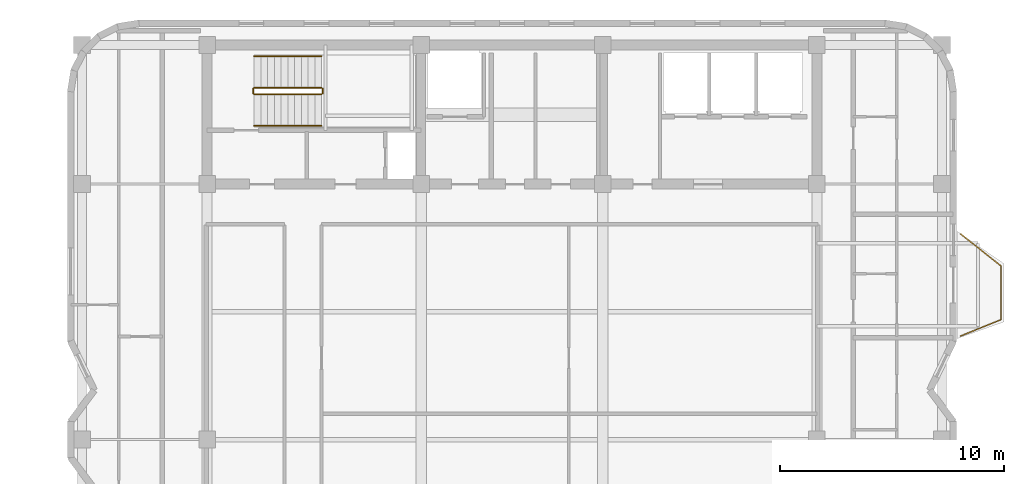
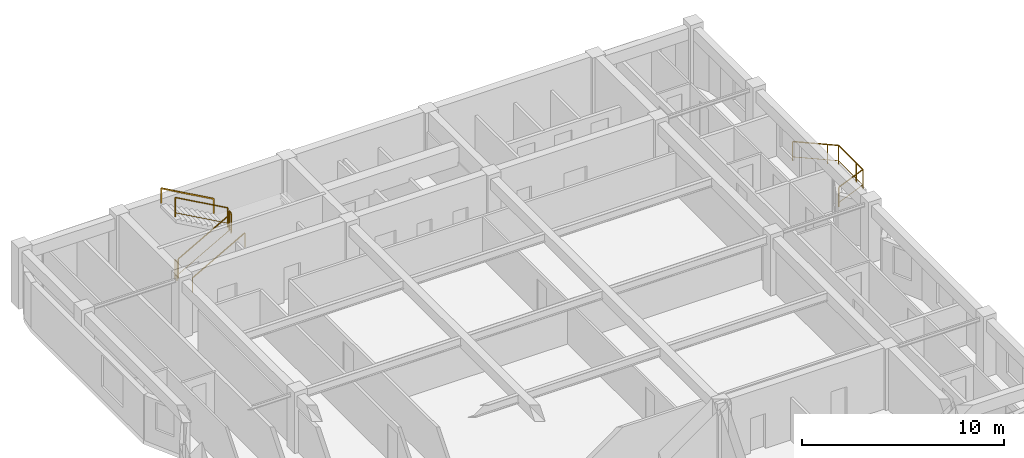
# One storey, part 8 of 8: 7 railings.
"""IFC4 building model written with IfcOpenShell, lengths in metres."""

from ifc_helpers import new_model, si_unit, direction, frame, origin, origin_2d, place, context, subcontext, project, spatial, rectangle, extrude, material, type_object, element, save


model = new_model("IFC4")

# Units and contexts
model_context = context("Model", 3, precision=1e-05, world=origin(), true_north=direction((0.0, 1.0)))
body_context = subcontext(model_context, "Body", "Model", "MODEL_VIEW")
ifc_project = project(units=[si_unit("LENGTHUNIT", "METRE"), si_unit("AREAUNIT", "SQUARE_METRE"), si_unit("VOLUMEUNIT", "CUBIC_METRE"), si_unit("PLANEANGLEUNIT", "RADIAN"), si_unit("MASSUNIT", "GRAM", prefix="KILO")], contexts=[model_context])

# Site, building, storey
site_placement = place(None, origin())
site = spatial("IfcSite", under=ifc_project, at=site_placement, CompositionType="ELEMENT")
building_placement = place(site_placement, origin())
building = spatial("IfcBuilding", under=site, at=building_placement, Name="Svetorya Sky Lyceum", CompositionType="ELEMENT")
storey_placement = place(building_placement, frame((0.0, 0.0, 278.699951171875)))
storey = spatial("IfcBuildingStorey", under=building, at=storey_placement, Name="L70", CompositionType="ELEMENT", Elevation=278.699951171875)

# Railings
ifc_material_1 = material(Name="Laminated safety glass and stainless AISI 316", Category="glass")
railing_type_1 = type_object("IfcRailingType", Name="RL-BAL-1200", PredefinedType="BALUSTRADE", material=ifc_material_1)
railing_1_placement = place(storey_placement, frame((59.2099609375, 37.3798828125, 0.0)))
element("IfcRailing", 1, at=railing_1_placement, inside=storey, type_object=railing_type_1, Name="L70 Balcony Balustrade BAL-E1", PredefinedType="BALUSTRADE", context=body_context, shape_type="SweptSolid", body=[
    extrude(rectangle(XDim=0.048095703125, YDim=0.048095703125, at=origin_2d()), frame((0.0, 0.0, 1.17578125), z_axis=(0.783008919264, -0.622010476079, 0.0), x_axis=(0.622010476079, 0.783008919264, 0.0)), (0.0, 0.0, 1.0), 2.298828125),
    extrude(rectangle(XDim=0.02392578125, YDim=0.02392578125, at=origin_2d()), frame((0.0, 0.0, 0.25), z_axis=(0.783008919264, -0.622010476079, 0.0), x_axis=(0.622010476079, 0.783008919264, 0.0)), (0.0, 0.0, 1.0), 2.298828125),
    extrude(rectangle(XDim=0.048095703125, YDim=0.048095703125, at=origin_2d()), frame((1.800048828125, -1.429931640625, 1.17578125), z_axis=(0.0, -1.0, 0.0), x_axis=(1.0, 0.0, 0.0)), (0.0, 0.0, 1.0), 2.39990234375),
    extrude(rectangle(XDim=0.02392578125, YDim=0.02392578125, at=origin_2d()), frame((1.800048828125, -1.429931640625, 0.25), z_axis=(0.0, -1.0, 0.0), x_axis=(1.0, 0.0, 0.0)), (0.0, 0.0, 1.0), 2.39990234375),
    extrude(rectangle(XDim=0.048095703125, YDim=0.048095703125, at=origin_2d()), frame((1.800048828125, -3.829833984375, 1.17578125), z_axis=(-0.926697865975, -0.375807218129, 0.0), x_axis=(0.375807218129, -0.926697865975, 0.0)), (0.0, 0.0, 1.0), 1.9423828125),
    extrude(rectangle(XDim=0.02392578125, YDim=0.02392578125, at=origin_2d()), frame((1.800048828125, -3.829833984375, 0.25), z_axis=(-0.926697865975, -0.375807218129, 0.0), x_axis=(0.375807218129, -0.926697865975, 0.0)), (0.0, 0.0, 1.0), 1.9423828125),
    extrude(rectangle(XDim=0.0419921875, YDim=0.0419921875, at=origin_2d()), origin(), (0.0, 0.0, 1.0), 1.15185546875),
    extrude(rectangle(XDim=0.0419921875, YDim=0.0419921875, at=origin_2d()), frame((1.370361328125, -1.088623046875, 0.0)), (0.0, 0.0, 1.0), 1.15185546875),
    extrude(rectangle(XDim=0.0419921875, YDim=0.0419921875, at=origin_2d()), frame((1.800048828125, -1.429931640625, 0.0)), (0.0, 0.0, 1.0), 1.15185546875),
    extrude(rectangle(XDim=0.0419921875, YDim=0.0419921875, at=origin_2d()), frame((1.800048828125, -3.179931640625, 0.0)), (0.0, 0.0, 1.0), 1.15185546875),
    extrude(rectangle(XDim=0.0419921875, YDim=0.0419921875, at=origin_2d()), frame((1.800048828125, -3.829833984375, 0.0)), (0.0, 0.0, 1.0), 1.15185546875),
    extrude(rectangle(XDim=0.0419921875, YDim=0.0419921875, at=origin_2d()), frame((0.0, -4.559814453125, 0.0)), (0.0, 0.0, 1.0), 1.15185546875),
])
ifc_material_2 = material(Name="Painted galvanized stair well guard")
railing_type_2 = type_object("IfcRailingType", Name="RL-STR-GUARD-1200", PredefinedType="GUARDRAIL", material=ifc_material_2)
railing_2_placement = place(storey_placement, frame((27.699951171875, 43.60009765625, 0.168212890625)))
element("IfcRailing", 2, at=railing_2_placement, inside=storey, type_object=railing_type_2, Name="L70 ST-N stair guard 1", PredefinedType="GUARDRAIL", context=body_context, shape_type="SweptSolid", body=[
    extrude(rectangle(XDim=0.048095703125, YDim=0.048095703125, at=origin_2d()), frame((0.0, 0.0, 1.17578125), z_axis=(0.872272294576, 0.0, 0.489020494575), x_axis=(0.0, 1.0, 0.0)), (0.0, 0.0, 1.0), 3.439208984375),
    extrude(rectangle(XDim=0.02392578125, YDim=0.02392578125, at=origin_2d()), frame((0.0, 0.0, 0.25), z_axis=(0.872272294576, 0.0, 0.489020494575), x_axis=(0.0, 1.0, 0.0)), (0.0, 0.0, 1.0), 3.439208984375),
    extrude(rectangle(XDim=0.0419921875, YDim=0.0419921875, at=origin_2d()), origin(), (0.0, 0.0, 1.0), 1.15185546875),
    extrude(rectangle(XDim=0.0419921875, YDim=0.0419921875, at=origin_2d()), frame((3.0, 0.0, 1.681884765625)), (0.0, 0.0, 1.0), 1.15185546875),
])
railing_3_placement = place(storey_placement, frame((30.75, 43.64990234375, 1.85009765625)))
element("IfcRailing", 3, at=railing_3_placement, inside=storey, type_object=railing_type_2, Name="L70 ST-N stair guard 2", PredefinedType="GUARDRAIL", context=body_context, shape_type="SweptSolid", body=[
    extrude(rectangle(XDim=0.048095703125, YDim=0.048095703125, at=origin_2d()), frame((0.0, 0.0, 1.17578125), z_axis=(0.0, 1.0, 0.0), x_axis=(-1.0, 0.0, 0.0)), (0.0, 0.0, 1.0), 0.2001953125),
    extrude(rectangle(XDim=0.02392578125, YDim=0.02392578125, at=origin_2d()), frame((0.0, 0.0, 0.25), z_axis=(0.0, 1.0, 0.0), x_axis=(-1.0, 0.0, 0.0)), (0.0, 0.0, 1.0), 0.2001953125),
    extrude(rectangle(XDim=0.0419921875, YDim=0.0419921875, at=origin_2d()), origin(), (0.0, 0.0, 1.0), 1.15185546875),
    extrude(rectangle(XDim=0.0419921875, YDim=0.0419921875, at=origin_2d()), frame((0.0, 0.2001953125, 0.0)), (0.0, 0.0, 1.0), 1.15185546875),
])
railing_4_placement = place(storey_placement, frame((30.699951171875, 43.89990234375, 2.018310546875)))
element("IfcRailing", 4, at=railing_4_placement, inside=storey, type_object=railing_type_2, Name="L70 ST-N stair guard 3", PredefinedType="GUARDRAIL", context=body_context, shape_type="SweptSolid", body=[
    extrude(rectangle(XDim=0.048095703125, YDim=0.048095703125, at=origin_2d()), frame((0.0, 0.0, 1.17578125), z_axis=(-0.872302573547, 0.0, 0.488966481656), x_axis=(0.0, -1.0, 0.0)), (0.0, 0.0, 1.0), 3.439208984375),
    extrude(rectangle(XDim=0.02392578125, YDim=0.02392578125, at=origin_2d()), frame((0.0, 0.0, 0.25), z_axis=(-0.872302573547, 0.0, 0.488966481656), x_axis=(0.0, -1.0, 0.0)), (0.0, 0.0, 1.0), 3.439208984375),
    extrude(rectangle(XDim=0.0419921875, YDim=0.0419921875, at=origin_2d()), origin(), (0.0, 0.0, 1.0), 1.15185546875),
    extrude(rectangle(XDim=0.0419921875, YDim=0.0419921875, at=origin_2d()), frame((-3.0, 0.0, 1.681640625)), (0.0, 0.0, 1.0), 1.15185546875),
])
railing_5_placement = place(storey_placement, frame((27.64990234375, 43.64990234375, 0.0)))
element("IfcRailing", 5, at=railing_5_placement, inside=storey, type_object=railing_type_2, Name="L70 ST-N stair guard 4", PredefinedType="GUARDRAIL", context=body_context, shape_type="SweptSolid", body=[
    extrude(rectangle(XDim=0.048095703125, YDim=0.048095703125, at=origin_2d()), frame((0.0, 0.0, 1.17578125), z_axis=(0.0, 1.0, 0.0), x_axis=(-1.0, 0.0, 0.0)), (0.0, 0.0, 1.0), 0.2001953125),
    extrude(rectangle(XDim=0.02392578125, YDim=0.02392578125, at=origin_2d()), frame((0.0, 0.0, 0.25), z_axis=(0.0, 1.0, 0.0), x_axis=(-1.0, 0.0, 0.0)), (0.0, 0.0, 1.0), 0.2001953125),
    extrude(rectangle(XDim=0.0419921875, YDim=0.0419921875, at=origin_2d()), origin(), (0.0, 0.0, 1.0), 1.15185546875),
    extrude(rectangle(XDim=0.0419921875, YDim=0.0419921875, at=origin_2d()), frame((0.0, 0.2001953125, 0.0)), (0.0, 0.0, 1.0), 1.15185546875),
])
ifc_material_3 = material(Name="Brushed stainless AISI 304 stair handrail")
railing_type_3 = type_object("IfcRailingType", Name="RL-STR-HAND-920", PredefinedType="HANDRAIL", material=ifc_material_3)
railing_6_placement = place(storey_placement, frame((27.699951171875, 42.199951171875, 0.168212890625)))
element("IfcRailing", 6, at=railing_6_placement, inside=storey, type_object=railing_type_3, Name="L70 ST-N stair handrail 1", PredefinedType="HANDRAIL", context=body_context, shape_type="SweptSolid", body=[
    extrude(rectangle(XDim=0.048095703125, YDim=0.048095703125, at=origin_2d()), frame((0.0, 0.0, 0.8759765625), z_axis=(0.872272294576, 0.0, 0.489020494575), x_axis=(0.0, 1.0, 0.0)), (0.0, 0.0, 1.0), 3.439208984375),
    extrude(rectangle(XDim=0.0419921875, YDim=0.0419921875, at=origin_2d()), origin(), (0.0, 0.0, 1.0), 0.851806640625),
    extrude(rectangle(XDim=0.0419921875, YDim=0.0419921875, at=origin_2d()), frame((3.0, 0.0, 1.681884765625)), (0.0, 0.0, 1.0), 0.851806640625),
])
railing_7_placement = place(storey_placement, frame((30.699951171875, 45.300048828125, 2.018310546875)))
element("IfcRailing", 7, at=railing_7_placement, inside=storey, type_object=railing_type_3, Name="L70 ST-N stair handrail 2", PredefinedType="HANDRAIL", context=body_context, shape_type="SweptSolid", body=[
    extrude(rectangle(XDim=0.048095703125, YDim=0.048095703125, at=origin_2d()), frame((0.0, 0.0, 0.8759765625), z_axis=(-0.872302573547, 0.0, 0.488966481656), x_axis=(0.0, -1.0, 0.0)), (0.0, 0.0, 1.0), 3.439208984375),
    extrude(rectangle(XDim=0.0419921875, YDim=0.0419921875, at=origin_2d()), origin(), (0.0, 0.0, 1.0), 0.851806640625),
    extrude(rectangle(XDim=0.0419921875, YDim=0.0419921875, at=origin_2d()), frame((-3.0, 0.0, 1.681640625)), (0.0, 0.0, 1.0), 0.851806640625),
])

save(model, "model.ifc")
